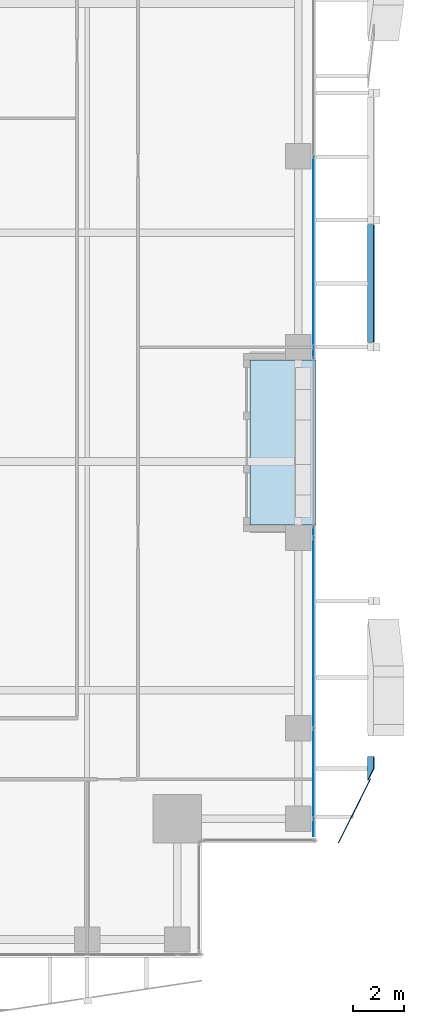
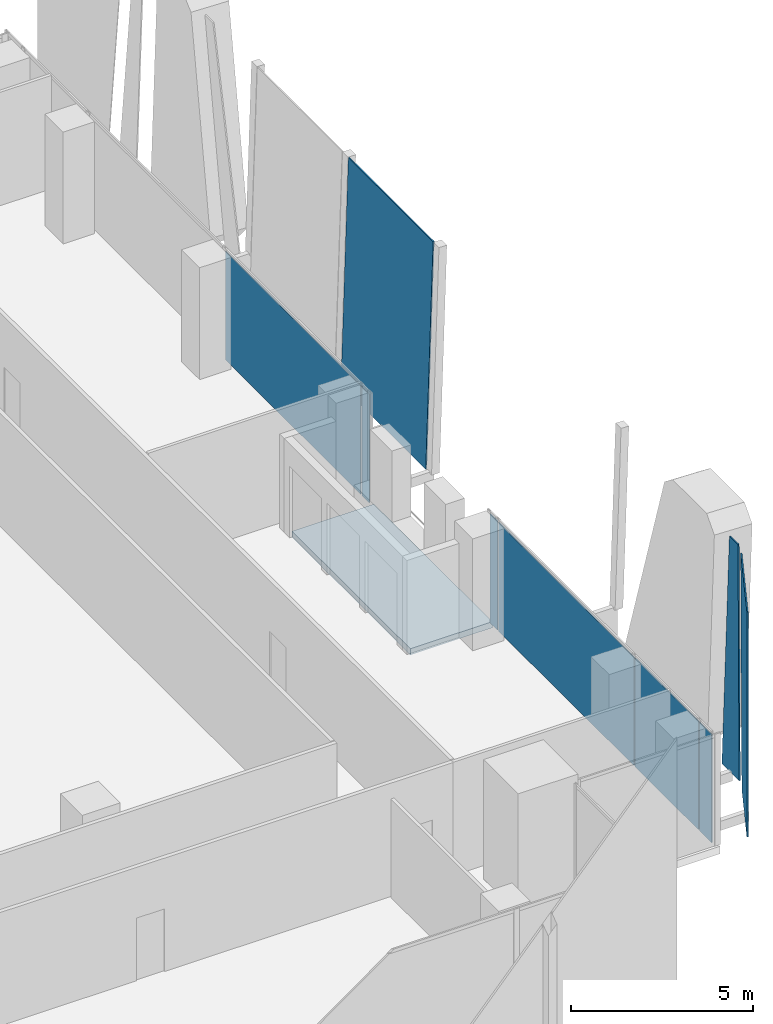
# One storey, part 25 of 35: 9 plates, 1 slab, 2 elements without a shape of their own.
"""IFC4 building model written with IfcOpenShell, lengths in metres."""

from ifc_helpers import new_model, si_unit, direction, frame, origin, origin_2d, place, context, subcontext, project, spatial, polyline, rectangle, outline, extrude, source, transform, mapped, material, layer, layer_set, type_object, element, aggregate, save


model = new_model("IFC4")

# Units and contexts
model_context = context("Model", 3, precision=1e-05, world=origin(), true_north=direction((0.0, 1.0)))
body_context = subcontext(model_context, "Body", "Model", "MODEL_VIEW")
ifc_project = project(units=[si_unit("LENGTHUNIT", "METRE"), si_unit("AREAUNIT", "SQUARE_METRE"), si_unit("VOLUMEUNIT", "CUBIC_METRE"), si_unit("PLANEANGLEUNIT", "RADIAN"), si_unit("MASSUNIT", "GRAM", prefix="KILO")], contexts=[model_context])

# Site, building, storey
site_placement = place(None, origin())
site = spatial("IfcSite", under=ifc_project, at=site_placement, CompositionType="ELEMENT")
building_placement = place(site_placement, origin())
building = spatial("IfcBuilding", under=site, at=building_placement, Name="Khomas Fold Tower", CompositionType="ELEMENT")
storey_placement = place(building_placement, frame((0.0, 0.0, 200.699951171875)))
storey = spatial("IfcBuildingStorey", under=building, at=storey_placement, Name="L44", CompositionType="ELEMENT", Elevation=200.699951171875)

# Plates
ifc_material_1 = material(Name="Clear laminated glass", Category="glass")
ifc_layer_1 = layer(ifc_material_1, 0.0400390625)
ifc_layer_set_1 = layer_set([ifc_layer_1], Name="Clear laminated glass")
plate_type_1 = type_object("IfcPlateType", Name="SK-Clear laminated glass leaf", PredefinedType="SHEET", material=ifc_layer_set_1)
plate_1_placement = place(storey_placement, frame((53.02685546875, 10.89990234375, 0.0), z_axis=(-0.999510466622, 0.0, 0.031286212827), x_axis=(0.0, -1.0, 0.0)))
element("IfcPlate", 1, at=plate_1_placement, inside=storey, type_object=plate_type_1, Name="OUTER SKIN glass L44 EG099-1", PredefinedType="SHEET", context=body_context, shape_type="SweptSolid", body=[
    extrude(outline(polyline([(0.0, 0.0), (0.945556640625, 0.0), (0.472900390625, 7.553746639233917), (0.0, 7.553746639233917), (0.0, 0.0)])), origin(), (0.0, 0.0, -1.0), 0.0400390625),
])
plate_2_placement = place(storey_placement, frame((53.1630859375, 10.026123046875, 7.550048828125), z_axis=(0.894408117617, -0.447251740231, 1.492502e-06), x_axis=(-0.031226476156, -0.062449623122, -0.997559497854)))
element("IfcPlate", 2, at=plate_2_placement, inside=storey, type_object=plate_type_1, Name="OUTER SKIN glass L44 EG099-2", PredefinedType="SHEET", context=body_context, shape_type="SweptSolid", body=[
    extrude(outline(polyline([(0.0, 0.0), (7.568519816996901, -1.1102230246251565e-16), (7.7288231223656005, -2.2902971182208542), (0.19720020460770157, -2.817453197241776), (0.0, 0.0)])), origin(), (0.0, 0.0, -1.0), 0.0400390625),
])
plate_3_placement = place(storey_placement, frame((53.26318359375, 31.830078125, 7.550048828125), z_axis=(-0.999510466622, 0.0, 0.031286212827), x_axis=(-0.031286212827, 0.0, -0.999510466622)))
element("IfcPlate", 3, at=plate_3_placement, inside=storey, type_object=plate_type_1, Name="OUTER SKIN glass L44 EG103-6", PredefinedType="SHEET", context=body_context, shape_type="SweptSolid", body=[
    extrude(outline(polyline([(0.0, 0.0), (7.553746639233918, 0.0), (7.553746639233918, 4.66015625), (0.0, 4.66015625), (0.0, 0.0)])), origin(), (0.0, 0.0, -1.0), 0.0400390625),
])

# Curtain wall, plates
ifc_material_2 = material(Name="Aluminium framed double glazing", Category="aluminium")
curtain_wall_type = type_object("IfcCurtainWallType", Name="SK-Unitised clear-glass wall, office floors CW2", PredefinedType="NOTDEFINED", material=ifc_material_2)
curtain_wall_1_placement = place(storey_placement, origin())
curtain_wall_1 = element("IfcCurtainWall", 4, at=curtain_wall_1_placement, inside=storey, type_object=curtain_wall_type, Name="CW2 run L44 03-0", PredefinedType="NOTDEFINED")
ifc_material_3 = material(Name="Clear double glazed unit")
ifc_layer_2 = layer(ifc_material_3, 0.030029296875)
ifc_layer_set_2 = layer_set([ifc_layer_2], Name="Clear double glazed unit")
plate_type_2 = type_object("IfcPlateType", Name="SK-Unitised clear-glass wall, office floors glass panel CW2-P", PredefinedType="CURTAIN_PANEL", material=ifc_layer_set_2)
shared_shape_1 = source(origin(), body_context, "Body", "SweptSolid", [
    extrude(rectangle(XDim=0.659912109375, YDim=0.030029296875, at=origin_2d()), origin(), (0.0, 0.0, 1.0), 3.639892578125),
])
plate_4_placement = place(storey_placement, frame((50.89990234375, 8.090087890625, 0.0), z_axis=(0.0, 0.0, 1.0), x_axis=(0.0, 1.0, 0.0)))
plate_4 = element("IfcPlate", 5, at=plate_4_placement, type_object=plate_type_2, Name="CW2 glass panel 1", PredefinedType="CURTAIN_PANEL", context=body_context, shape_type="MappedRepresentation", body=[
    mapped(shared_shape_1, transform((0.0, 0.0, 0.0))),
])
shared_shape_2 = source(origin(), body_context, "Body", "SweptSolid", [
    extrude(rectangle(XDim=3.489990234375, YDim=0.030029296875, at=origin_2d()), origin(), (0.0, 0.0, 1.0), 3.639892578125),
])
plate_5_placement = place(storey_placement, frame((50.89990234375, 10.22509765625, 0.0), z_axis=(0.0, 0.0, 1.0), x_axis=(0.0, 1.0, 0.0)))
plate_5 = element("IfcPlate", 6, at=plate_5_placement, type_object=plate_type_2, Name="CW2 glass panel 2", PredefinedType="CURTAIN_PANEL", context=body_context, shape_type="MappedRepresentation", body=[
    mapped(shared_shape_2, transform((0.0, 0.0, 0.0))),
])
shared_shape_3 = source(origin(), body_context, "Body", "SweptSolid", [
    extrude(rectangle(XDim=7.43994140625, YDim=0.030029296875, at=origin_2d()), origin(), (0.0, 0.0, 1.0), 3.639892578125),
])
plate_6_placement = place(storey_placement, frame((50.89990234375, 15.75, 0.0), z_axis=(0.0, 0.0, 1.0), x_axis=(0.0, 1.0, 0.0)))
plate_6 = element("IfcPlate", 7, at=plate_6_placement, type_object=plate_type_2, Name="CW2 glass panel 3", PredefinedType="CURTAIN_PANEL", context=body_context, shape_type="MappedRepresentation", body=[
    mapped(shared_shape_3, transform((0.0, 0.0, 0.0))),
])

# Curtain wall, plate
curtain_wall_2_placement = place(storey_placement, origin())
curtain_wall_2 = element("IfcCurtainWall", 8, at=curtain_wall_2_placement, inside=storey, type_object=curtain_wall_type, Name="CW2 run L44 03-1", PredefinedType="NOTDEFINED")
plate_7_placement = place(storey_placement, frame((50.89990234375, 30.75, 0.0), z_axis=(0.0, 0.0, 1.0), x_axis=(0.0, 1.0, 0.0)))
plate_7 = element("IfcPlate", 9, at=plate_7_placement, type_object=plate_type_2, Name="CW2 glass panel 2", PredefinedType="CURTAIN_PANEL", context=body_context, shape_type="MappedRepresentation", body=[
    mapped(shared_shape_3, transform((0.0, 0.0, 0.0))),
])

# Plate
shared_shape_4 = source(origin(), body_context, "Body", "SweptSolid", [
    extrude(rectangle(XDim=0.409912109375, YDim=0.030029296875, at=origin_2d()), origin(), (0.0, 0.0, 1.0), 3.639892578125),
])
plate_8_placement = place(storey_placement, frame((50.89990234375, 19.735107421875, 0.0), z_axis=(0.0, 0.0, 1.0), x_axis=(0.0, 1.0, 0.0)))
plate_8 = element("IfcPlate", 10, at=plate_8_placement, type_object=plate_type_2, Name="CW2 glass panel 4", PredefinedType="CURTAIN_PANEL", context=body_context, shape_type="MappedRepresentation", body=[
    mapped(shared_shape_4, transform((0.0, 0.0, 0.0))),
])

aggregate(curtain_wall_1, [plate_4, plate_5, plate_6, plate_8])

plate_9_placement = place(storey_placement, frame((50.89990234375, 26.764892578125, 0.0), z_axis=(0.0, 0.0, 1.0), x_axis=(0.0, 1.0, 0.0)))
plate_9 = element("IfcPlate", 11, at=plate_9_placement, type_object=plate_type_2, Name="CW2 glass panel 1", PredefinedType="CURTAIN_PANEL", context=body_context, shape_type="MappedRepresentation", body=[
    mapped(shared_shape_4, transform((0.0, 0.0, 0.0))),
])

aggregate(curtain_wall_2, [plate_9, plate_7])

# Slab
ifc_material_4 = material(Name="Concrete C40/50", Category="concrete")
ifc_layer_3 = layer(ifc_material_4, 0.205078125)
ifc_layer_set_3 = layer_set([ifc_layer_3], Name="Concrete C40/50")
slab_type = type_object("IfcSlabType", Name="BL-Balcony deck 205", PredefinedType="FLOOR", material=ifc_layer_set_3)
shared_shape_5 = source(origin(), body_context, "Body", "SweptSolid", [
    extrude(outline(polyline([(48.39990234375, 20.0), (51.0, 20.0), (51.0, 26.5), (48.39990234375, 26.5), (48.39990234375, 20.0)])), origin(), (0.0, 0.0, 1.0), 0.205078125),
])
slab_placement = place(storey_placement, frame((0.0, 0.0, -0.25)))
element("IfcSlab", 12, at=slab_placement, inside=storey, type_object=slab_type, Name="Balcony deck BAL-L44-E2", PredefinedType="FLOOR", context=body_context, shape_type="MappedRepresentation", body=[
    mapped(shared_shape_5, transform((0.0, 0.0, 0.0))),
])

save(model, "model.ifc")
